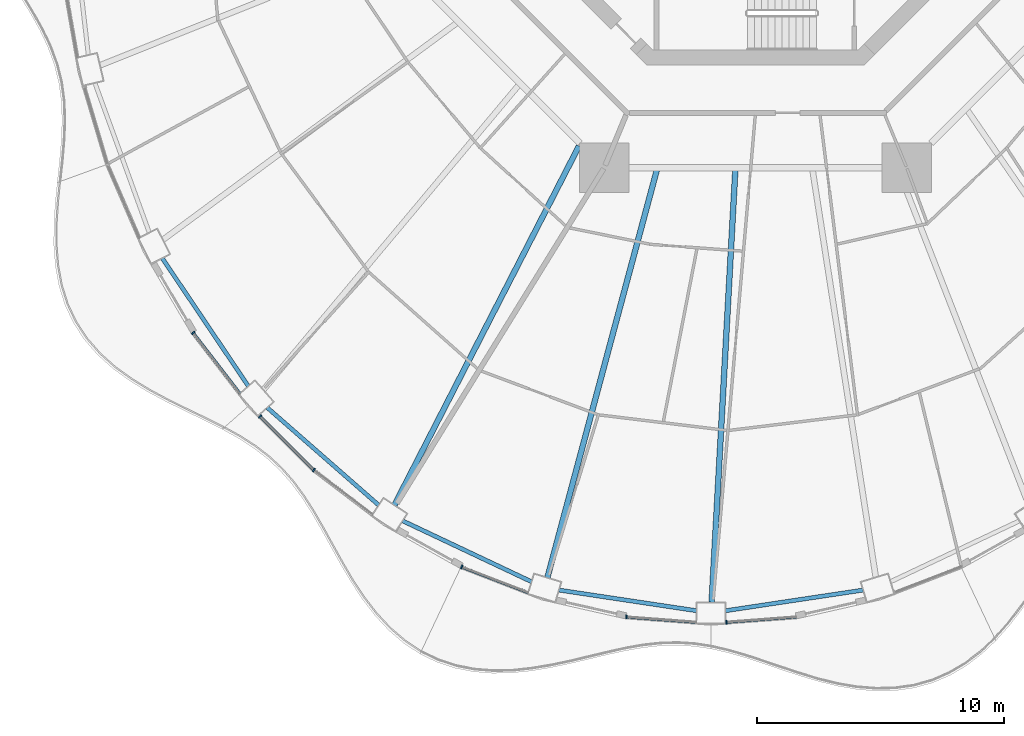
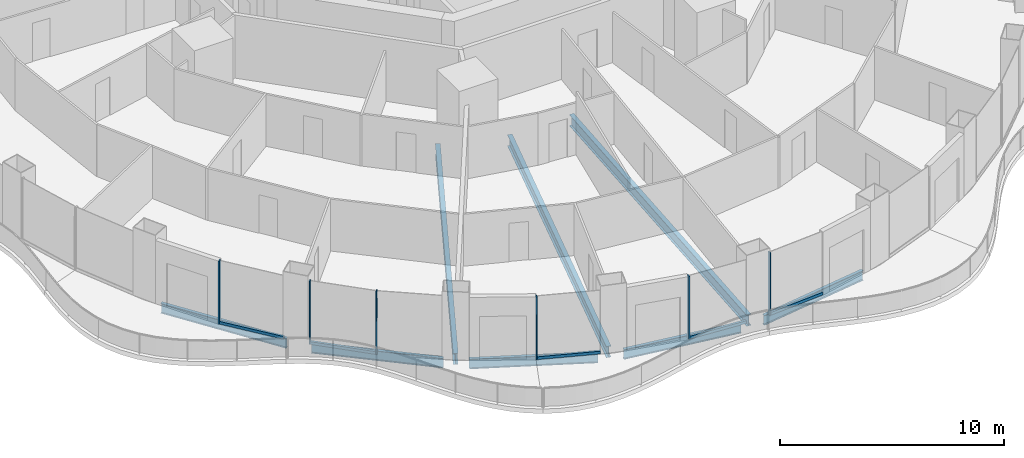
# One storey, part 2 of 19: 11 members, 8 beams, 6 elements without a shape of their own.
"""IFC4 building model written with IfcOpenShell, lengths in metres."""

from ifc_helpers import new_model, si_unit, direction, frame, origin, origin_2d, place, context, subcontext, project, spatial, rectangle, i_section, extrude, material, layer, layer_set, material_profile, profile_set, type_object, element, aggregate, save


model = new_model("IFC4")

# Units and contexts
model_context = context("Model", 3, precision=1e-05, world=origin(), true_north=direction((0.0, 1.0)))
body_context = subcontext(model_context, "Body", "Model", "MODEL_VIEW")
ifc_project = project(units=[si_unit("LENGTHUNIT", "METRE"), si_unit("AREAUNIT", "SQUARE_METRE"), si_unit("VOLUMEUNIT", "CUBIC_METRE"), si_unit("PLANEANGLEUNIT", "RADIAN"), si_unit("MASSUNIT", "GRAM", prefix="KILO")], contexts=[model_context])

# Site, building, storey
site_placement = place(None, origin())
site = spatial("IfcSite", under=ifc_project, at=site_placement, CompositionType="ELEMENT")
building_placement = place(site_placement, origin())
building = spatial("IfcBuilding", under=site, at=building_placement, Name="Nagisa Residences", CompositionType="ELEMENT")
storey_placement = place(building_placement, frame((0.0, 0.0, 149.199951171875)))
storey = spatial("IfcBuildingStorey", under=building, at=storey_placement, Name="L37", CompositionType="ELEMENT", Elevation=149.199951171875)

# Curtain wall, member
ifc_material_1 = material(Name="Concrete-coloured aluminium curtain wall system", Category="concrete")
ifc_layer = layer(ifc_material_1, 0.159912109375)
ifc_layer_set = layer_set([ifc_layer], Name="CW1 CURTAIN WALL")
curtain_wall_type = type_object("IfcCurtainWallType", Name="CW1 CURTAIN WALL", PredefinedType="NOTDEFINED", material=ifc_layer_set)
curtain_wall_1_placement = place(storey_placement, origin())
curtain_wall_1 = element("IfcCurtainWall", 1, at=curtain_wall_1_placement, inside=storey, type_object=curtain_wall_type, Name="cw:CW1:L37:29", PredefinedType="NOTDEFINED")
ifc_material_2 = material(Name="Concrete-coloured aluminium", Category="concrete")
ifc_material_profile_1 = material_profile(ifc_material_2, rectangle(XDim=0.159912109375, YDim=0.06005859375, at=origin_2d()), Name="CW1 MULLION 160x60")
ifc_profile_set_1 = profile_set([ifc_material_profile_1], Name="Concrete-coloured aluminium")
member_type_1 = type_object("IfcMemberType", Name="CW1 MULLION 160x60", PredefinedType="MULLION", material=ifc_profile_set_1)
member_1_placement = place(storey_placement, frame((-22.77001953125, -21.47412109375, 0.0), z_axis=(0.0, 0.0, 1.0), x_axis=(0.792070340816, 0.610429828235, 0.0)))
member_1 = element("IfcMember", 2, at=member_1_placement, type_object=member_type_1, Name="CW1 mullion", PredefinedType="MULLION", context=body_context, shape_type="SweptSolid", body=[
    extrude(rectangle(XDim=0.159912109375, YDim=0.06005859375, at=origin_2d()), origin(), (0.0, 0.0, 1.0), 3.43994140625),
])

curtain_wall_2_placement = place(storey_placement, origin())
curtain_wall_2 = element("IfcCurtainWall", 3, at=curtain_wall_2_placement, inside=storey, type_object=curtain_wall_type, Name="cw:CW1:L37:30", PredefinedType="NOTDEFINED")
member_2_placement = place(storey_placement, frame((-20.060546875, -24.857177734375, 0.0), z_axis=(0.0, 0.0, 1.0), x_axis=(0.706376885714, 0.707835924016, 0.0)))
member_2 = element("IfcMember", 4, at=member_2_placement, type_object=member_type_1, Name="CW1 mullion", PredefinedType="MULLION", context=body_context, shape_type="SweptSolid", body=[
    extrude(rectangle(XDim=0.159912109375, YDim=0.06005859375, at=origin_2d()), origin(), (0.0, 0.0, 1.0), 3.43994140625),
])

curtain_wall_3_placement = place(storey_placement, origin())
curtain_wall_3 = element("IfcCurtainWall", 5, at=curtain_wall_3_placement, inside=storey, type_object=curtain_wall_type, Name="cw:CW1:L37:31", PredefinedType="NOTDEFINED")
member_3_placement = place(storey_placement, frame((-17.881103515625, -27.027587890625, 0.0), z_axis=(0.0, 0.0, 1.0), x_axis=(0.605255421737, 0.79603132756, 0.0)))
member_3 = element("IfcMember", 6, at=member_3_placement, type_object=member_type_1, Name="CW1 mullion", PredefinedType="MULLION", context=body_context, shape_type="SweptSolid", body=[
    extrude(rectangle(XDim=0.159912109375, YDim=0.06005859375, at=origin_2d()), origin(), (0.0, 0.0, 1.0), 3.43994140625),
])
aggregate(curtain_wall_3, [member_3])

curtain_wall_4_placement = place(storey_placement, origin())
curtain_wall_4 = element("IfcCurtainWall", 7, at=curtain_wall_4_placement, inside=storey, type_object=curtain_wall_type, Name="cw:CW1:L37:33", PredefinedType="NOTDEFINED")
member_4_placement = place(storey_placement, frame((-11.897705078125, -30.950439453125, 0.0), z_axis=(0.0, 0.0, 1.0), x_axis=(0.360327770268, 0.932825759707, 0.0)))
member_4 = element("IfcMember", 8, at=member_4_placement, type_object=member_type_1, Name="CW1 mullion", PredefinedType="MULLION", context=body_context, shape_type="SweptSolid", body=[
    extrude(rectangle(XDim=0.159912109375, YDim=0.06005859375, at=origin_2d()), origin(), (0.0, 0.0, 1.0), 3.43994140625),
])

curtain_wall_5_placement = place(storey_placement, origin())
curtain_wall_5 = element("IfcCurtainWall", 9, at=curtain_wall_5_placement, inside=storey, type_object=curtain_wall_type, Name="cw:CW1:L37:35", PredefinedType="NOTDEFINED")
member_5_placement = place(storey_placement, frame((-5.2275390625, -32.976806640625, 0.0), z_axis=(0.0, 0.0, 1.0), x_axis=(0.074377355493, 0.997230168512, 0.0)))
member_5 = element("IfcMember", 10, at=member_5_placement, type_object=member_type_1, Name="CW1 mullion", PredefinedType="MULLION", context=body_context, shape_type="SweptSolid", body=[
    extrude(rectangle(XDim=0.159912109375, YDim=0.06005859375, at=origin_2d()), origin(), (0.0, 0.0, 1.0), 3.43994140625),
])

curtain_wall_6_placement = place(storey_placement, origin())
curtain_wall_6 = element("IfcCurtainWall", 11, at=curtain_wall_6_placement, inside=storey, type_object=curtain_wall_type, Name="cw:CW1:L37:36", PredefinedType="NOTDEFINED")
member_6_placement = place(storey_placement, frame((-1.177734375, -33.18603515625, 0.0), z_axis=(0.0, 0.0, 1.0), x_axis=(-0.074377355493, 0.997230168512, 0.0)))
member_6 = element("IfcMember", 12, at=member_6_placement, type_object=member_type_1, Name="CW1 mullion", PredefinedType="MULLION", context=body_context, shape_type="SweptSolid", body=[
    extrude(rectangle(XDim=0.159912109375, YDim=0.06005859375, at=origin_2d()), origin(), (0.0, 0.0, 1.0), 3.43994140625),
])

# Member
ifc_material_3 = material(Name="Concrete-coloured aluminium", Category="concrete")
ifc_material_profile_2 = material_profile(ifc_material_3, rectangle(XDim=0.1201171875, YDim=0.14990234375, at=origin_2d()), Name="CW1 TRANSOM 120x150")
ifc_profile_set_2 = profile_set([ifc_material_profile_2], Name="Concrete-coloured aluminium")
member_type_2 = type_object("IfcMemberType", Name="CW1 TRANSOM 120x150", PredefinedType="USERDEFINED", material=ifc_profile_set_2)
member_7_placement = place(storey_placement, frame((-22.788330078125, -21.450439453125, 0.074951171875), z_axis=(0.610429847179, -0.792070326217, 0.0), x_axis=(0.792070326217, 0.610429847179, 0.0)))
member_7 = element("IfcMember", 13, at=member_7_placement, type_object=member_type_2, Name="CW1 transom", ObjectType="TRANSOM", PredefinedType="USERDEFINED", context=body_context, shape_type="SweptSolid", body=[
    extrude(rectangle(XDim=0.1201171875, YDim=0.14990234375, at=origin_2d()), origin(), (0.0, 0.0, 1.0), 3.149169921875),
])

aggregate(curtain_wall_1, [member_1, member_7])

member_8_placement = place(storey_placement, frame((-20.081787109375, -24.8359375, 0.074951171875), z_axis=(0.707818274975, -0.706394570768, 0.0), x_axis=(0.706394570768, 0.707818274975, 0.0)))
member_8 = element("IfcMember", 14, at=member_8_placement, type_object=member_type_2, Name="CW1 transom", ObjectType="TRANSOM", PredefinedType="USERDEFINED", context=body_context, shape_type="SweptSolid", body=[
    extrude(rectangle(XDim=0.1201171875, YDim=0.14990234375, at=origin_2d()), origin(), (0.0, 0.0, 1.0), 3.086669921875),
])

aggregate(curtain_wall_2, [member_2, member_8])

member_9_placement = place(storey_placement, frame((-11.92578125, -30.939697265625, 0.074951171875), z_axis=(0.932845344347, -0.360277064952, 0.0), x_axis=(0.360277064952, 0.932845344347, 0.0)))
member_9 = element("IfcMember", 15, at=member_9_placement, type_object=member_type_2, Name="CW1 transom", ObjectType="TRANSOM", PredefinedType="USERDEFINED", context=body_context, shape_type="SweptSolid", body=[
    extrude(rectangle(XDim=0.1201171875, YDim=0.14990234375, at=origin_2d()), origin(), (0.0, 0.0, 1.0), 2.92333984375),
])

aggregate(curtain_wall_4, [member_4, member_9])

member_10_placement = place(storey_placement, frame((-5.257568359375, -32.974609375, 0.074951171875), z_axis=(0.997232166829, -0.074350557769, 0.0), x_axis=(0.074350557769, 0.997232166829, 0.0)))
member_10 = element("IfcMember", 16, at=member_10_placement, type_object=member_type_2, Name="CW1 transom", ObjectType="TRANSOM", PredefinedType="USERDEFINED", context=body_context, shape_type="SweptSolid", body=[
    extrude(rectangle(XDim=0.1201171875, YDim=0.14990234375, at=origin_2d()), origin(), (0.0, 0.0, 1.0), 2.873291015625),
])

aggregate(curtain_wall_5, [member_5, member_10])

member_11_placement = place(storey_placement, frame((-1.20751953125, -33.188232421875, 0.074951171875), z_axis=(0.997231697044, 0.074356858535, 0.0), x_axis=(-0.074356858535, 0.997231697044, 0.0)))
member_11 = element("IfcMember", 17, at=member_11_placement, type_object=member_type_2, Name="CW1 transom", ObjectType="TRANSOM", PredefinedType="USERDEFINED", context=body_context, shape_type="SweptSolid", body=[
    extrude(rectangle(XDim=0.1201171875, YDim=0.14990234375, at=origin_2d()), origin(), (0.0, 0.0, 1.0), 2.873046875),
])

aggregate(curtain_wall_6, [member_6, member_11])

# Beams
ifc_material_4 = material(Name="Steel ASTM A572 Gr 50", Category="steel")
ifc_material_profile_3 = material_profile(ifc_material_4, i_section(OverallWidth=0.166015625, OverallDepth=0.534912109375, WebThickness=0.01025390625, FlangeThickness=0.0166015625, at=origin_2d()), Name="W530x85")
ifc_profile_set_3 = profile_set([ifc_material_profile_3], Name="Steel ASTM A572 Gr 50")
beam_type_1 = type_object("IfcBeamType", Name="Perimeter ring beam W530x85", PredefinedType="BEAM", material=ifc_profile_set_3)
beam_1_placement = place(storey_placement, frame((-24.020751953125, -18.4501953125, -0.52734375), z_axis=(0.558187951157, -0.82971453596, 0.0), x_axis=(0.82971453596, 0.558187951157, 0.0)))
element("IfcBeam", 18, at=beam_1_placement, inside=storey, type_object=beam_type_1, Name="beam:L37:pb15", PredefinedType="BEAM", context=body_context, shape_type="SweptSolid", body=[
    extrude(i_section(OverallWidth=0.166015625, OverallDepth=0.534912109375, WebThickness=0.01025390625, FlangeThickness=0.0166015625, at=origin_2d()), origin(), (0.0, 0.0, 1.0), 6.24267578125),
])
beam_2_placement = place(storey_placement, frame((-19.769287109375, -24.500732421875, -0.52734375), z_axis=(0.75252371036, -0.658565156493, 0.0), x_axis=(0.658565156493, 0.75252371036, 0.0)))
element("IfcBeam", 19, at=beam_2_placement, inside=storey, type_object=beam_type_1, Name="beam:L37:pb16", PredefinedType="BEAM", context=body_context, shape_type="SweptSolid", body=[
    extrude(i_section(OverallWidth=0.166015625, OverallDepth=0.534912109375, WebThickness=0.01025390625, FlangeThickness=0.0166015625, at=origin_2d()), origin(), (0.0, 0.0, 1.0), 5.994384765625),
])
beam_3_placement = place(storey_placement, frame((-14.287841796875, -29.084716796875, -0.52734375), z_axis=(0.904186034847, -0.427138870143, 0.0), x_axis=(0.427138870143, 0.904186034847, 0.0)))
element("IfcBeam", 20, at=beam_3_placement, inside=storey, type_object=beam_type_1, Name="beam:L37:pb17", PredefinedType="BEAM", context=body_context, shape_type="SweptSolid", body=[
    extrude(i_section(OverallWidth=0.166015625, OverallDepth=0.534912109375, WebThickness=0.01025390625, FlangeThickness=0.0166015625, at=origin_2d()), origin(), (0.0, 0.0, 1.0), 5.772216796875),
])
for number, where, z_axis, x_axis, name in (
    (21, (-7.958251953125, -31.887939453125, -0.52734375), (0.9889122118, -0.148501304214, 0.0), (0.148501304214, 0.9889122118, 0.0), "beam:L37:pb18"),
    (22, (-1.2197265625, -32.7255859375, -0.52734375), (0.9889122118, 0.148501304214, 0.0), (-0.148501304214, 0.9889122118, 0.0), "beam:L37:pb19"),
):
    element("IfcBeam", number, at=place(storey_placement, frame(where, z_axis=z_axis, x_axis=x_axis)), inside=storey, type_object=beam_type_1, Name=name, PredefinedType="BEAM", context=body_context, shape_type="SweptSolid", body=[
        extrude(i_section(OverallWidth=0.166015625, OverallDepth=0.534912109375, WebThickness=0.01025390625, FlangeThickness=0.0166015625, at=origin_2d()), origin(), (0.0, 0.0, 1.0), 5.640625),
    ])
ifc_material_5 = material(Name="Steel ASTM A572 Gr 50", Category="steel")
ifc_material_profile_4 = material_profile(ifc_material_5, i_section(OverallWidth=0.22900390625, OverallDepth=0.612060546875, WebThickness=0.011962890625, FlangeThickness=0.01953125, at=origin_2d()), Name="W610x125")
ifc_profile_set_4 = profile_set([ifc_material_profile_4], Name="Steel ASTM A572 Gr 50")
beam_type_2 = type_object("IfcBeamType", Name="Radial beam W610x125", PredefinedType="BEAM", material=ifc_profile_set_4)
beam_4_placement = place(storey_placement, frame((-14.619873046875, -28.449462890625, -0.56591796875), z_axis=(0.457072968779, 0.889429199662, 0.0), x_axis=(-0.889429199662, 0.457072968779, 0.0)))
element("IfcBeam", 23, at=beam_4_placement, inside=storey, type_object=beam_type_2, Name="beam:L37:rb17", PredefinedType="BEAM", context=body_context, shape_type="SweptSolid", body=[
    extrude(i_section(OverallWidth=0.22900390625, OverallDepth=0.612060546875, WebThickness=0.011962890625, FlangeThickness=0.01953125, at=origin_2d()), origin(), (0.0, 0.0, 1.0), 16.347412109375),
])
beam_5_placement = place(storey_placement, frame((-8.4267578125, -31.38525390625, -0.56591796875), z_axis=(0.25930906211, 0.965794393392, 0.0), x_axis=(-0.965794393392, 0.25930906211, 0.0)))
element("IfcBeam", 24, at=beam_5_placement, inside=storey, type_object=beam_type_2, Name="beam:L37:rb18", PredefinedType="BEAM", context=body_context, shape_type="SweptSolid", body=[
    extrude(i_section(OverallWidth=0.22900390625, OverallDepth=0.612060546875, WebThickness=0.011962890625, FlangeThickness=0.01953125, at=origin_2d()), origin(), (0.0, 0.0, 1.0), 17.079833984375),
])
beam_6_placement = place(storey_placement, frame((-1.7763671875, -32.382568359375, -0.56591796875), z_axis=(0.054779249477, 0.998498489647, 0.0), x_axis=(-0.998498489647, 0.054779249477, 0.0)))
element("IfcBeam", 25, at=beam_6_placement, inside=storey, type_object=beam_type_2, Name="beam:L37:rb19", PredefinedType="BEAM", context=body_context, shape_type="SweptSolid", body=[
    extrude(i_section(OverallWidth=0.22900390625, OverallDepth=0.612060546875, WebThickness=0.011962890625, FlangeThickness=0.01953125, at=origin_2d()), origin(), (0.0, 0.0, 1.0), 17.519775390625),
])

save(model, "model.ifc")
